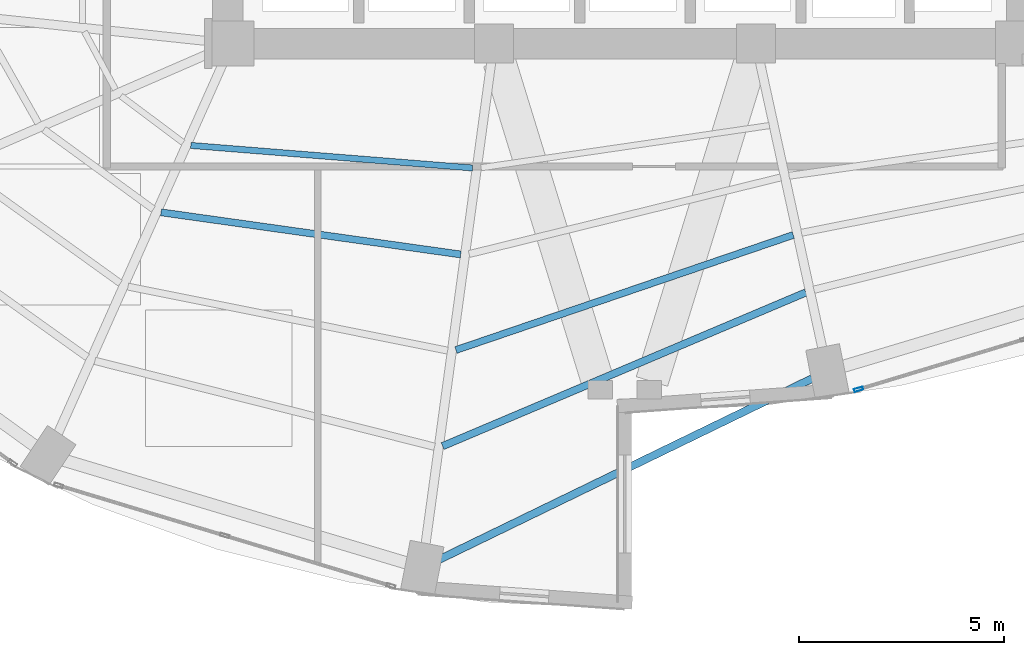
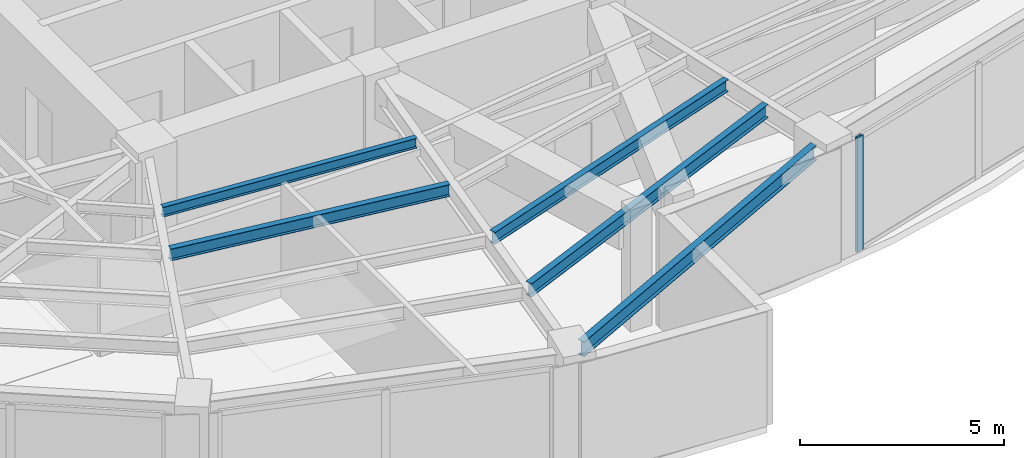
# One storey, part 6 of 23: 5 beams, 1 member, 1 element without a shape of its own.
"""IFC4 building model written with IfcOpenShell, lengths in metres."""

from ifc_helpers import new_model, si_unit, direction, frame, origin, origin_2d, place, context, subcontext, project, spatial, hollow_rectangle, i_section, extrude, material, layer, layer_set, material_profile, profile_set, type_object, element, aggregate, save


model = new_model("IFC4")

# Units and contexts
model_context = context("Model", 3, precision=1e-05, world=origin(), true_north=direction((0.0, 1.0)))
body_context = subcontext(model_context, "Body", "Model", "MODEL_VIEW")
ifc_project = project(units=[si_unit("LENGTHUNIT", "METRE"), si_unit("AREAUNIT", "SQUARE_METRE"), si_unit("VOLUMEUNIT", "CUBIC_METRE"), si_unit("PLANEANGLEUNIT", "RADIAN"), si_unit("MASSUNIT", "GRAM", prefix="KILO")], contexts=[model_context])

# Site, building, storey
site_placement = place(None, origin())
site = spatial("IfcSite", under=ifc_project, at=site_placement, CompositionType="ELEMENT")
building_placement = place(site_placement, origin())
building = spatial("IfcBuilding", under=site, at=building_placement, Name="Lazwardi Medical Tower", CompositionType="ELEMENT")
storey_placement = place(building_placement, frame((0.0, 0.0, 125.52001953125)))
storey = spatial("IfcBuildingStorey", under=building, at=storey_placement, Name="L32", CompositionType="ELEMENT", Elevation=125.52001953125)

# Beams
ifc_material_1 = material(Name="Steel S355", Category="steel")
ifc_material_profile_1 = material_profile(ifc_material_1, i_section(OverallWidth=0.179931640625, OverallDepth=0.39990234375, WebThickness=0.008544921875, FlangeThickness=0.013427734375, at=origin_2d()), Name="IPE 400")
ifc_profile_set_1 = profile_set([ifc_material_profile_1], Name="Steel S355")
beam_type_1 = type_object("IfcBeamType", Name="BM-SJ-01", PredefinedType="JOIST", material=ifc_profile_set_1)
beam_1_placement = place(storey_placement, frame((31.550537109375, 10.571533203125, 3.22802734375), z_axis=(0.920947307957, 0.389687125739, 0.0), x_axis=(-0.389687125739, 0.920947307957, 0.0)))
element("IfcBeam", 1, at=beam_1_placement, inside=storey, type_object=beam_type_1, Name="Secondary joist SJ-01 R1 B16 L32", PredefinedType="JOIST", context=body_context, shape_type="SweptSolid", body=[
    extrude(i_section(OverallWidth=0.179931640625, OverallDepth=0.39990234375, WebThickness=0.008544921875, FlangeThickness=0.013427734375, at=origin_2d()), origin(), (0.0, 0.0, 1.0), 9.63134765625),
])
ifc_material_profile_2 = material_profile(ifc_material_1, i_section(OverallWidth=0.169921875, OverallDepth=0.360107421875, WebThickness=0.008056640625, FlangeThickness=0.0126953125, at=origin_2d()), Name="IPE 360")
ifc_profile_set_2 = profile_set([ifc_material_profile_2], Name="Steel S355")
beam_type_2 = type_object("IfcBeamType", Name="BM-SJ-02", PredefinedType="JOIST", material=ifc_profile_set_2)
beam_2_placement = place(storey_placement, frame((31.874267578125, 12.91796875, 3.248046875), z_axis=(0.946467154368, 0.322800132749, 0.0), x_axis=(-0.322800132749, 0.946467154368, 0.0)))
element("IfcBeam", 2, at=beam_2_placement, inside=storey, type_object=beam_type_2, Name="Secondary joist SJ-02 R2 B16 L32", PredefinedType="JOIST", context=body_context, shape_type="SweptSolid", body=[
    extrude(i_section(OverallWidth=0.169921875, OverallDepth=0.360107421875, WebThickness=0.008056640625, FlangeThickness=0.0126953125, at=origin_2d()), origin(), (0.0, 0.0, 1.0), 8.70458984375),
])
beam_3_placement = place(storey_placement, frame((24.67431640625, 16.281005859375, 3.248046875), z_axis=(0.990260920731, -0.139223952222, 0.0), x_axis=(0.139223952222, 0.990260920731, 0.0)))
element("IfcBeam", 3, at=beam_3_placement, inside=storey, type_object=beam_type_2, Name="Secondary joist SJ-02 R3 B15 L32", PredefinedType="JOIST", context=body_context, shape_type="SweptSolid", body=[
    extrude(i_section(OverallWidth=0.169921875, OverallDepth=0.360107421875, WebThickness=0.008056640625, FlangeThickness=0.0126953125, at=origin_2d()), origin(), (0.0, 0.0, 1.0), 7.3896484375),
])
ifc_material_profile_3 = material_profile(ifc_material_1, i_section(OverallWidth=0.14990234375, OverallDepth=0.300048828125, WebThickness=0.007080078125, FlangeThickness=0.0107421875, at=origin_2d()), Name="IPE 300")
ifc_profile_set_3 = profile_set([ifc_material_profile_3], Name="Steel S355")
beam_type_3 = type_object("IfcBeamType", Name="BM-SJ-03", PredefinedType="JOIST", material=ifc_profile_set_3)
beam_4_placement = place(storey_placement, frame((25.400390625, 17.914306640625, 3.278076171875), z_axis=(0.996816178299, -0.079733974445, 0.0), x_axis=(0.079733974445, 0.996816178299, 0.0)))
element("IfcBeam", 4, at=beam_4_placement, inside=storey, type_object=beam_type_3, Name="Secondary joist SJ-03 R4 B15 L32", PredefinedType="JOIST", context=body_context, shape_type="SweptSolid", body=[
    extrude(i_section(OverallWidth=0.14990234375, OverallDepth=0.300048828125, WebThickness=0.007080078125, FlangeThickness=0.0107421875, at=origin_2d()), origin(), (0.0, 0.0, 1.0), 6.901611328125),
])
ifc_material_profile_4 = material_profile(ifc_material_1, i_section(OverallWidth=0.18994140625, OverallDepth=0.449951171875, WebThickness=0.009521484375, FlangeThickness=0.0146484375, at=origin_2d()), Name="IPE 450")
ifc_profile_set_4 = profile_set([ifc_material_profile_4], Name="Steel S355")
beam_type_4 = type_object("IfcBeamType", Name="BM-SP-01", PredefinedType="SPANDREL", material=ifc_profile_set_4)
beam_5_placement = place(storey_placement, frame((31.42333984375, 7.781494140625, 3.202880859375), z_axis=(0.899653336227, 0.436604941125, 0.0), x_axis=(-0.436604941125, 0.899653336227, 0.0)))
element("IfcBeam", 5, at=beam_5_placement, inside=storey, type_object=beam_type_4, Name="Spandrel beam SP-01 B16 L32", PredefinedType="SPANDREL", context=body_context, shape_type="SweptSolid", body=[
    extrude(i_section(OverallWidth=0.18994140625, OverallDepth=0.449951171875, WebThickness=0.009521484375, FlangeThickness=0.0146484375, at=origin_2d()), origin(), (0.0, 0.0, 1.0), 10.17431640625),
])

# Curtain wall, member
ifc_material_2 = material(Name="Anodised bronze aluminium and solar control glazing", Category="aluminium")
ifc_layer = layer(ifc_material_2, 0.195068359375)
ifc_layer_set = layer_set([ifc_layer], Name="Anodised bronze aluminium and solar control glazing")
curtain_wall_type = type_object("IfcCurtainWallType", Name="CW-SYS-03", PredefinedType="NOTDEFINED", material=ifc_layer_set)
curtain_wall_placement = place(storey_placement, origin())
curtain_wall = element("IfcCurtainWall", 6, at=curtain_wall_placement, inside=storey, type_object=curtain_wall_type, Name="L32 Unitised bronze curtain wall CW-03", PredefinedType="NOTDEFINED")
ifc_material_3 = material(Name="Anodised bronze aluminium", Category="aluminium")
ifc_material_profile_5 = material_profile(ifc_material_3, hollow_rectangle(XDim=0.074951171875, YDim=0.219970703125, WallThickness=0.00390625, at=origin_2d()), Name="ALU-MULLION 220x75x4")
ifc_profile_set_5 = profile_set([ifc_material_profile_5], Name="Anodised bronze aluminium")
member_type = type_object("IfcMemberType", Name="CW-MUL-01", PredefinedType="MULLION", material=ifc_profile_set_5)
member_placement = place(storey_placement, frame((41.710205078125, 11.9599609375, 0.0), z_axis=(0.0, 0.0, 1.0), x_axis=(-0.28937381157, 0.957216170558, 0.0)))
member = element("IfcMember", 7, at=member_placement, type_object=member_type, Name="CW-03 mullion 1", PredefinedType="MULLION", context=body_context, shape_type="SweptSolid", body=[
    extrude(hollow_rectangle(XDim=0.074951171875, YDim=0.219970703125, WallThickness=0.00390625, at=origin_2d()), origin(), (0.0, 0.0, 1.0), 3.427978515625),
])
aggregate(curtain_wall, [member])

save(model, "model.ifc")
